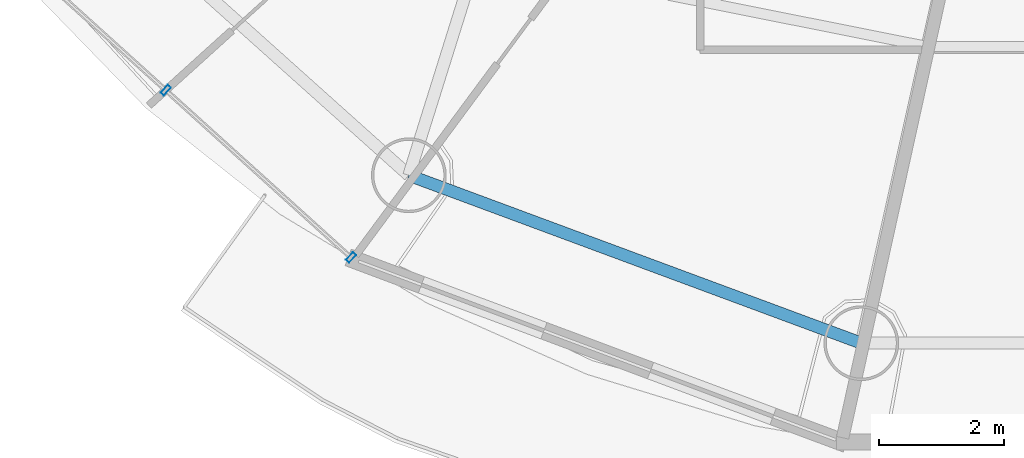
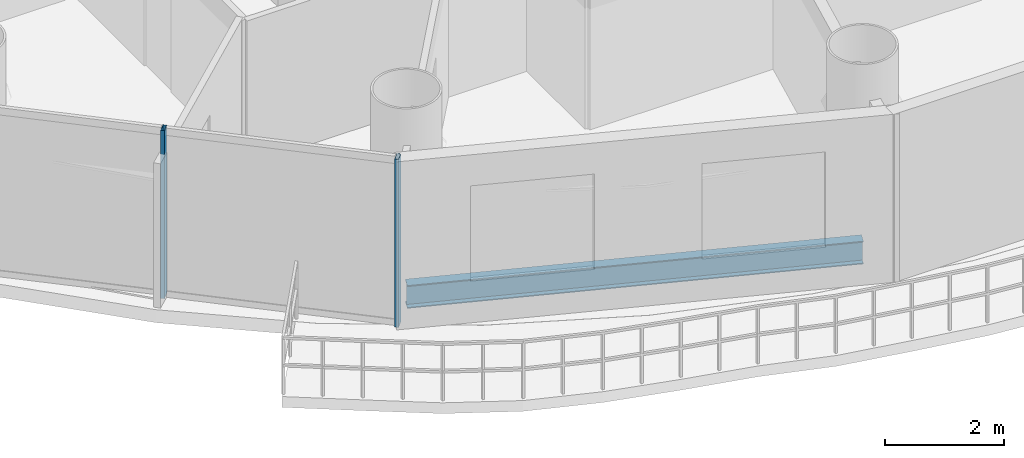
# One storey, part 2 of 26: 2 members, 1 beam, 1 element without a shape of its own.
"""IFC4 building model written with IfcOpenShell, lengths in metres."""

from ifc_helpers import new_model, si_unit, direction, frame, origin, origin_2d, place, context, subcontext, project, spatial, hollow_rectangle, i_section, extrude, source, transform, mapped, material, material_profile, profile_set, type_object, element, aggregate, save


model = new_model("IFC4")

# Units and contexts
model_context = context("Model", 3, precision=1e-05, world=origin(), true_north=direction((-0.2419218956, 0.970295726276)))
body_context = subcontext(model_context, "Body", "Model", "MODEL_VIEW")
ifc_project = project(units=[si_unit("LENGTHUNIT", "METRE"), si_unit("AREAUNIT", "SQUARE_METRE"), si_unit("VOLUMEUNIT", "CUBIC_METRE"), si_unit("PLANEANGLEUNIT", "RADIAN"), si_unit("MASSUNIT", "GRAM", prefix="KILO")], contexts=[model_context])

# Site, building, storey
site_placement = place(None, origin())
site = spatial("IfcSite", under=ifc_project, at=site_placement, CompositionType="ELEMENT")
building_placement = place(site_placement, origin())
building = spatial("IfcBuilding", under=site, at=building_placement, Name="Cobrevalo Terracotta Tower", CompositionType="ELEMENT")
storey_placement = place(building_placement, frame((0.0, 0.0, 213.39990234375)))
storey = spatial("IfcBuildingStorey", under=building, at=storey_placement, Name="L56", CompositionType="ELEMENT", Elevation=213.39990234375)

# Beam
ifc_material_1 = material(Name="Steel S355", Category="steel")
ifc_material_profile_1 = material_profile(ifc_material_1, i_section(OverallWidth=0.194091796875, OverallDepth=0.468994140625, WebThickness=0.011474609375, FlangeThickness=0.0205078125, at=origin_2d()), Name="W 460x106")
ifc_profile_set_1 = profile_set([ifc_material_profile_1], Name="Steel S355")
beam_type = type_object("IfcBeamType", Name="Structural Spandrel W 460x106 (Steel S355)", PredefinedType="SPANDREL", material=ifc_profile_set_1)
beam_placement = place(storey_placement, frame((26.80517578125, 11.7919921875, -0.49951171875), z_axis=(0.937545996665, -0.347861328892, 0.0), x_axis=(0.347861328892, 0.937545996665, 0.0)))
element("IfcBeam", 1, at=beam_placement, inside=storey, type_object=beam_type, Name="L56 perimeter ring spandrel 11", PredefinedType="SPANDREL", context=body_context, shape_type="SweptSolid", body=[
    extrude(i_section(OverallWidth=0.194091796875, OverallDepth=0.468994140625, WebThickness=0.011474609375, FlangeThickness=0.0205078125, at=origin_2d()), origin(), (0.0, 0.0, 1.0), 7.74755859375),
])

# Curtain wall, members
ifc_material_2 = material(Name="Anodized aluminium", Category="aluminium")
curtain_wall_type = type_object("IfcCurtainWallType", Name="Mid-tower high-wind unitised curtain wall CW-U2", PredefinedType="NOTDEFINED", material=ifc_material_2)
curtain_wall_placement = place(storey_placement, origin())
curtain_wall = element("IfcCurtainWall", 2, at=curtain_wall_placement, inside=storey, type_object=curtain_wall_type, Name="L56 curtain wall CW-L56-S10", PredefinedType="NOTDEFINED")
ifc_material_profile_2 = material_profile(ifc_material_2, hollow_rectangle(XDim=0.070068359375, YDim=0.169921875, WallThickness=0.00439453125, at=origin_2d()), Name="CWM 70x170")
ifc_profile_set_2 = profile_set([ifc_material_profile_2], Name="Anodized aluminium")
member_type = type_object("IfcMemberType", Name="Upper tower unitised mullion 70x170", PredefinedType="MULLION", material=ifc_profile_set_2)
shared_shape = source(origin(), body_context, "Body", "SweptSolid", [
    extrude(hollow_rectangle(XDim=0.070068359375, YDim=0.169921875, WallThickness=0.00439453125, at=origin_2d()), origin(), (0.0, 0.0, 1.0), 3.43505859375),
])
member_1_placement = place(storey_placement, frame((22.902099609375, 13.158447265625, 0.0), z_axis=(0.0, 0.0, 1.0), x_axis=(0.741987542015, -0.670413668935, 0.0)))
member_1 = element("IfcMember", 3, at=member_1_placement, type_object=member_type, Name="CW-L56-S10 vertical mullion 02", PredefinedType="MULLION", context=body_context, shape_type="MappedRepresentation", body=[
    mapped(shared_shape, transform((0.0, 0.0, 0.0), scale=1.0)),
])
member_2_placement = place(storey_placement, frame((25.87548828125, 10.471923828125, 0.0), z_axis=(0.0, 0.0, 1.0), x_axis=(0.741987542015, -0.670413668935, 0.0)))
member_2 = element("IfcMember", 4, at=member_2_placement, type_object=member_type, Name="CW-L56-S10 vertical mullion 03", PredefinedType="MULLION", context=body_context, shape_type="MappedRepresentation", body=[
    mapped(shared_shape, transform((0.0, 0.0, 0.0), scale=1.0)),
])
aggregate(curtain_wall, [member_1, member_2])

save(model, "model.ifc")
